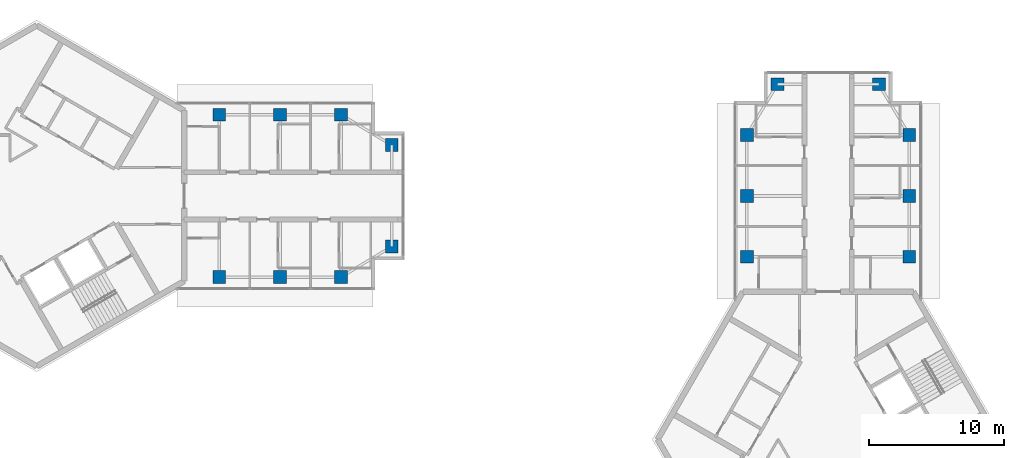
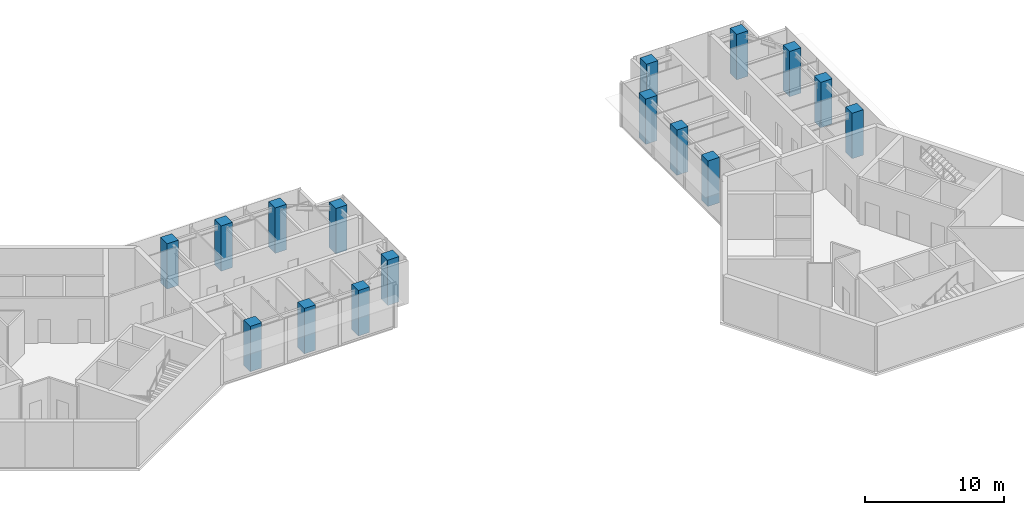
# One storey, part 1 of 11: 16 columns.
"""IFC4 building model written with IfcOpenShell, lengths in metres."""

from ifc_helpers import new_model, si_unit, direction, frame, origin, origin_2d, place, context, subcontext, project, spatial, rectangle, extrude, material, material_profile, profile_set, type_object, element, save


model = new_model("IFC4")

# Units and contexts
model_context = context("Model", 3, precision=1e-05, world=origin(), true_north=direction((0.0, 1.0)))
body_context = subcontext(model_context, "Body", "Model", "MODEL_VIEW")
ifc_project = project(units=[si_unit("LENGTHUNIT", "METRE"), si_unit("AREAUNIT", "SQUARE_METRE"), si_unit("VOLUMEUNIT", "CUBIC_METRE"), si_unit("PLANEANGLEUNIT", "RADIAN"), si_unit("MASSUNIT", "GRAM", prefix="KILO")], contexts=[model_context])

# Site, building, storey
site_placement = place(None, origin())
site = spatial("IfcSite", under=ifc_project, at=site_placement, CompositionType="ELEMENT")
building_placement = place(site_placement, origin())
building = spatial("IfcBuilding", under=site, at=building_placement, Name="Upepo Twin Towers", CompositionType="ELEMENT")
storey_placement = place(building_placement, frame((0.0, 0.0, 279.5)))
storey = spatial("IfcBuildingStorey", under=building, at=storey_placement, Name="L68", CompositionType="ELEMENT", Elevation=279.5)

# Columns
ifc_material = material(Name="Concrete C60/75", Category="concrete")
ifc_material_profile = material_profile(ifc_material, rectangle(XDim=0.949951171875, YDim=0.949951171875, at=origin_2d()), Name="RC 950x950")
ifc_profile_set = profile_set([ifc_material_profile], Name="Concrete C60/75")
column_type = type_object("IfcColumnType", Name="Tower column RC 950x950", PredefinedType="COLUMN", material=ifc_profile_set)
for number, where, z_axis, x_axis, name in (
    (1, (13.5, 6.0, 0.0), (0.0, 0.0, 1.0), (1.0, 0.0, 0.0), "T1 column AL135"),
    (2, (13.5, -6.0, 0.0), (0.0, 0.0, 1.0), (1.0, 0.0, 0.0), "T1 column AR135"),
    (3, (18.0, 6.0, 0.0), (0.0, 0.0, 1.0), (1.0, 0.0, 0.0), "T1 column AL180"),
    (4, (18.0, -6.0, 0.0), (0.0, 0.0, 1.0), (1.0, 0.0, 0.0), "T1 column AR180"),
    (5, (22.5, 6.0, 0.0), (0.0, 0.0, 1.0), (1.0, 0.0, 0.0), "T1 column AL225"),
    (6, (22.5, -6.0, 0.0), (0.0, 0.0, 1.0), (1.0, 0.0, 0.0), "T1 column AR225"),
    (7, (26.25, 3.75, 0.0), (0.0, 0.0, 1.0), (1.0, 0.0, 0.0), "T1 column ALN"),
    (8, (26.25, -3.75, 0.0), (0.0, 0.0, 1.0), (1.0, 0.0, 0.0), "T1 column ARN"),
    (9, (52.5, -4.5, 0.0), (0.0, 0.0, 1.0), (1.0, 0.0, 0.0), "T2 column AL135"),
    (10, (64.5, -4.5, 0.0), (0.0, 0.0, 1.0), (1.0, 0.0, 0.0), "T2 column AR135"),
    (11, (52.5, 0.0, 0.0), (0.0, 0.0, 1.0), (1.0, 0.0, 0.0), "T2 column AL180"),
    (12, (64.5, 0.0, 0.0), (0.0, 0.0, 1.0), (1.0, 0.0, 0.0), "T2 column AR180"),
    (13, (52.5, 4.5, 0.0), (0.0, 0.0, 1.0), (1.0, 0.0, 0.0), "T2 column AL225"),
    (14, (64.5, 4.5, 0.0), (0.0, 0.0, 1.0), (1.0, 0.0, 0.0), "T2 column AR225"),
    (15, (54.75, 8.25, 0.0), (0.0, 0.0, 1.0), (1.0, 0.0, 0.0), "T2 column ALN"),
    (16, (62.25, 8.25, 0.0), (0.0, 0.0, 1.0), (1.0, 0.0, 0.0), "T2 column ARN"),
):
    element("IfcColumn", number, at=place(storey_placement, frame(where, z_axis=z_axis, x_axis=x_axis)), inside=storey, type_object=column_type, Name=name, PredefinedType="COLUMN", context=body_context, shape_type="SweptSolid", body=[
        extrude(rectangle(XDim=0.949951171875, YDim=0.949951171875, at=origin_2d()), origin(), (0.0, 0.0, 1.0), 4.0),
    ])

save(model, "model.ifc")
